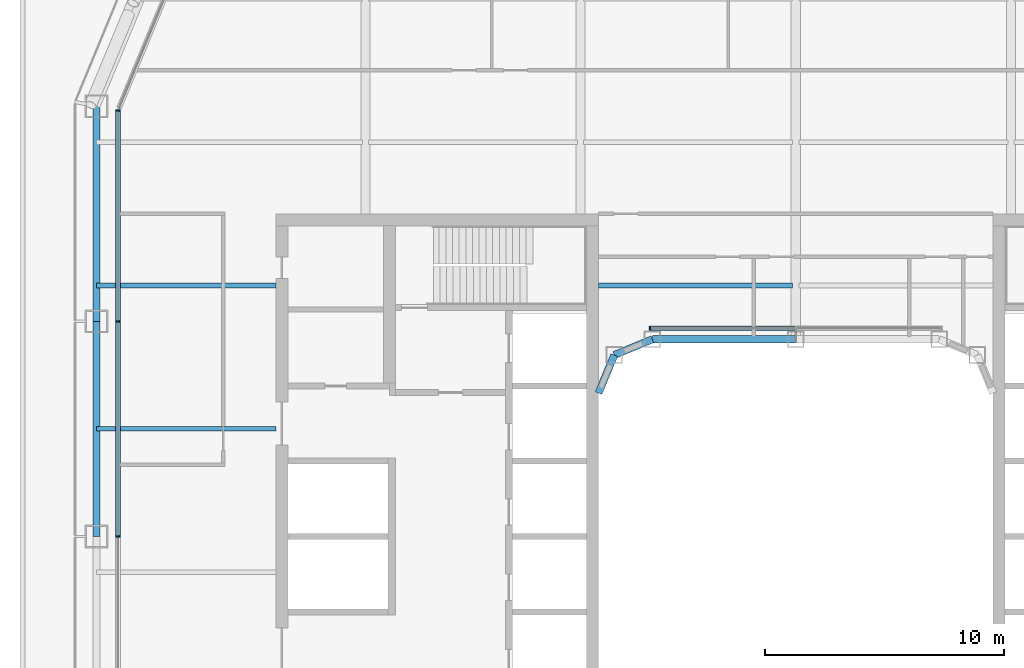
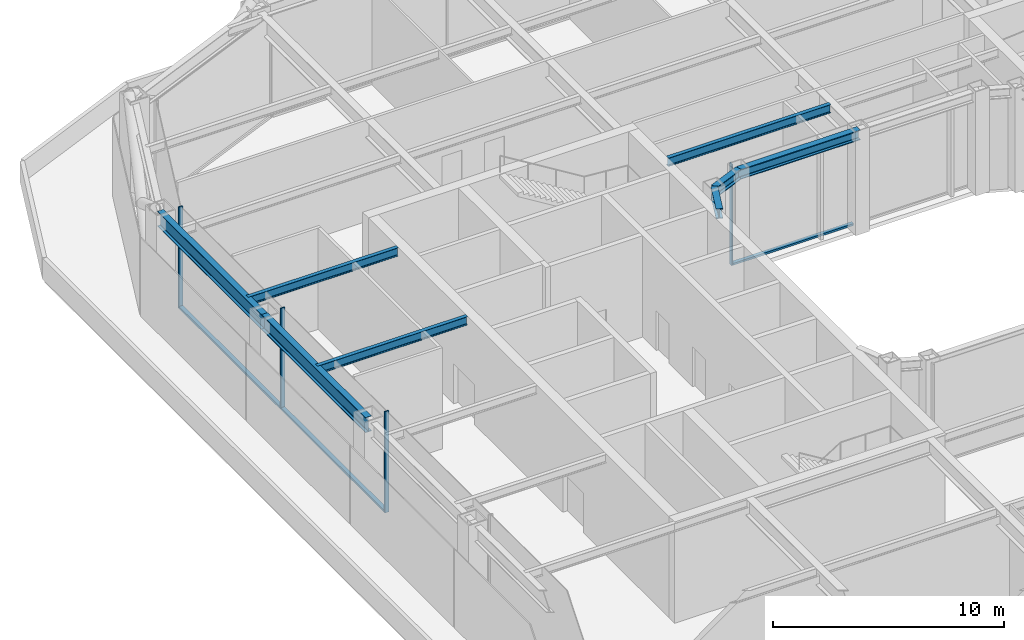
# One storey, part 6 of 21: 8 beams, 7 members, 2 elements without a shape of their own.
"""IFC4 building model written with IfcOpenShell, lengths in metres."""

from ifc_helpers import new_model, si_unit, direction, frame, origin, origin_2d, place, context, subcontext, project, spatial, rectangle, i_section, extrude, material, layer, layer_set, material_profile, profile_set, type_object, element, aggregate, save


model = new_model("IFC4")

# Units and contexts
model_context = context("Model", 3, precision=1e-05, world=origin(), true_north=direction((0.0, 1.0)))
body_context = subcontext(model_context, "Body", "Model", "MODEL_VIEW")
ifc_project = project(units=[si_unit("LENGTHUNIT", "METRE"), si_unit("AREAUNIT", "SQUARE_METRE"), si_unit("VOLUMEUNIT", "CUBIC_METRE"), si_unit("PLANEANGLEUNIT", "RADIAN"), si_unit("MASSUNIT", "GRAM", prefix="KILO")], contexts=[model_context])

# Site, building, storey
site_placement = place(None, origin())
site = spatial("IfcSite", under=ifc_project, at=site_placement, CompositionType="ELEMENT")
building_placement = place(site_placement, origin())
building = spatial("IfcBuilding", under=site, at=building_placement, Name="Siwar Civic Tower", CompositionType="ELEMENT")
storey_placement = place(building_placement, frame((0.0, 0.0, 99.199951171875)))
storey = spatial("IfcBuildingStorey", under=building, at=storey_placement, Name="L21", CompositionType="ELEMENT", Elevation=99.199951171875)

# Curtain wall, members
ifc_material_1 = material(Name="Aluminium and glass", Category="aluminium")
ifc_layer_1 = layer(ifc_material_1, 0.199951171875)
ifc_layer_set_1 = layer_set([ifc_layer_1], Name="Aluminium and glass")
curtain_wall_type_1 = type_object("IfcCurtainWallType", Name="ENV-CW-B", PredefinedType="NOTDEFINED", material=ifc_layer_set_1)
curtain_wall_1_placement = place(storey_placement, origin())
curtain_wall_1 = element("IfcCurtainWall", 1, at=curtain_wall_1_placement, inside=storey, type_object=curtain_wall_type_1, Name="Curtain wall B W", PredefinedType="NOTDEFINED")
ifc_material_2 = material(Name="Aluminium 6063-T6", Category="aluminium")
ifc_material_profile_1 = material_profile(ifc_material_2, rectangle(XDim=0.199951171875, YDim=0.06494140625, at=origin_2d()), Name="AL 200x65")
ifc_profile_set_1 = profile_set([ifc_material_profile_1], Name="Aluminium 6063-T6")
member_type_1 = type_object("IfcMemberType", Name="ENV-MULLION-B", PredefinedType="MULLION", material=ifc_profile_set_1)
member_1_placement = place(storey_placement, frame((-28.35009765625, 17.821044921875, 0.0), z_axis=(0.0, 0.0, 1.0), x_axis=(1.0, 0.0, 0.0)))
member_1 = element("IfcMember", 2, at=member_1_placement, type_object=member_type_1, Name="Mullion B W 1", PredefinedType="MULLION", context=body_context, shape_type="SweptSolid", body=[
    extrude(rectangle(XDim=0.199951171875, YDim=0.06494140625, at=origin_2d()), origin(), (0.0, 0.0, 1.0), 5.35009765625),
])
member_2_placement = place(storey_placement, frame((-28.35009765625, 9.0, 0.0), z_axis=(0.0, 0.0, 1.0), x_axis=(1.0, 0.0, 0.0)))
member_2 = element("IfcMember", 3, at=member_2_placement, type_object=member_type_1, Name="Mullion B W 2", PredefinedType="MULLION", context=body_context, shape_type="SweptSolid", body=[
    extrude(rectangle(XDim=0.199951171875, YDim=0.06494140625, at=origin_2d()), origin(), (0.0, 0.0, 1.0), 5.35009765625),
])
member_3_placement = place(storey_placement, frame((-28.35009765625, 0.0, 0.0), z_axis=(0.0, 0.0, 1.0), x_axis=(1.0, 0.0, 0.0)))
member_3 = element("IfcMember", 4, at=member_3_placement, type_object=member_type_1, Name="Mullion B W 3", PredefinedType="MULLION", context=body_context, shape_type="SweptSolid", body=[
    extrude(rectangle(XDim=0.199951171875, YDim=0.06494140625, at=origin_2d()), origin(), (0.0, 0.0, 1.0), 5.35009765625),
])

# Curtain wall, member
ifc_material_3 = material(Name="Aluminium and glass", Category="aluminium")
ifc_layer_2 = layer(ifc_material_3, 0.179931640625)
ifc_layer_set_2 = layer_set([ifc_layer_2], Name="Aluminium and glass")
curtain_wall_type_2 = type_object("IfcCurtainWallType", Name="ENV-CW-W", PredefinedType="NOTDEFINED", material=ifc_layer_set_2)
curtain_wall_2_placement = place(storey_placement, origin())
curtain_wall_2 = element("IfcCurtainWall", 5, at=curtain_wall_2_placement, inside=storey, type_object=curtain_wall_type_2, Name="Curtain wall W WN", PredefinedType="NOTDEFINED")
ifc_material_4 = material(Name="Aluminium 6063-T6", Category="aluminium")
ifc_material_profile_2 = material_profile(ifc_material_4, rectangle(XDim=0.179931640625, YDim=0.06005859375, at=origin_2d()), Name="AL 180x60")
ifc_profile_set_2 = profile_set([ifc_material_profile_2], Name="Aluminium 6063-T6")
member_type_2 = type_object("IfcMemberType", Name="ENV-MULLION-W", PredefinedType="MULLION", material=ifc_profile_set_2)
member_4_placement = place(storey_placement, frame((-6.091552734375, 8.7099609375, 0.0), z_axis=(0.0, 0.0, 1.0), x_axis=(0.0, -1.0, 0.0)))
member_4 = element("IfcMember", 6, at=member_4_placement, type_object=member_type_2, Name="Mullion W WN 3", PredefinedType="MULLION", context=body_context, shape_type="SweptSolid", body=[
    extrude(rectangle(XDim=0.179931640625, YDim=0.06005859375, at=origin_2d()), origin(), (0.0, 0.0, 1.0), 5.35009765625),
])

# Member
ifc_material_5 = material(Name="Aluminium 6063-T6", Category="aluminium")
ifc_material_profile_3 = material_profile(ifc_material_5, rectangle(XDim=0.199951171875, YDim=0.110107421875, at=origin_2d()), Name="AL 200x110")
ifc_profile_set_3 = profile_set([ifc_material_profile_3], Name="Aluminium 6063-T6")
member_type_3 = type_object("IfcMemberType", Name="ENV-TRANSOM-B", PredefinedType="USERDEFINED", material=ifc_profile_set_3)
member_5_placement = place(storey_placement, frame((-28.35009765625, 17.78857421875, 0.054931640625), z_axis=(0.0, -1.0, 0.0), x_axis=(1.0, 0.0, 0.0)))
member_5 = element("IfcMember", 7, at=member_5_placement, type_object=member_type_3, Name="Transom B W 1", ObjectType="TRANSOM", PredefinedType="USERDEFINED", context=body_context, shape_type="SweptSolid", body=[
    extrude(rectangle(XDim=0.199951171875, YDim=0.110107421875, at=origin_2d()), origin(), (0.0, 0.0, 1.0), 8.756103515625),
])

member_6_placement = place(storey_placement, frame((-28.35009765625, 8.967529296875, 0.054931640625), z_axis=(0.0, -1.0, 0.0), x_axis=(1.0, 0.0, 0.0)))
member_6 = element("IfcMember", 8, at=member_6_placement, type_object=member_type_3, Name="Transom B W 2", ObjectType="TRANSOM", PredefinedType="USERDEFINED", context=body_context, shape_type="SweptSolid", body=[
    extrude(rectangle(XDim=0.199951171875, YDim=0.110107421875, at=origin_2d()), origin(), (0.0, 0.0, 1.0), 8.93505859375),
])

aggregate(curtain_wall_1, [member_1, member_2, member_3, member_5, member_6])

ifc_material_6 = material(Name="Aluminium 6063-T6", Category="aluminium")
ifc_material_profile_4 = material_profile(ifc_material_6, rectangle(XDim=0.179931640625, YDim=0.10009765625, at=origin_2d()), Name="AL 180x100")
ifc_profile_set_4 = profile_set([ifc_material_profile_4], Name="Aluminium 6063-T6")
member_type_4 = type_object("IfcMemberType", Name="ENV-TRANSOM-W", PredefinedType="USERDEFINED", material=ifc_profile_set_4)
member_7_placement = place(storey_placement, frame((-0.030029296875, 8.7099609375, 0.050048828125), z_axis=(-1.0, 0.0, 0.0), x_axis=(0.0, -1.0, 0.0)))
member_7 = element("IfcMember", 9, at=member_7_placement, type_object=member_type_4, Name="Transom W WN 2", ObjectType="TRANSOM", PredefinedType="USERDEFINED", context=body_context, shape_type="SweptSolid", body=[
    extrude(rectangle(XDim=0.179931640625, YDim=0.10009765625, at=origin_2d()), origin(), (0.0, 0.0, 1.0), 6.031494140625),
])

aggregate(curtain_wall_2, [member_4, member_7])

# Beams
ifc_material_7 = material(Name="Steel S355", Category="steel")
ifc_material_profile_5 = material_profile(ifc_material_7, i_section(OverallWidth=0.18994140625, OverallDepth=0.449951171875, WebThickness=0.009521484375, FlangeThickness=0.0146484375, FilletRadius=0.02099609375, at=origin_2d()), Name="IPE450")
ifc_profile_set_5 = profile_set([ifc_material_profile_5], Name="Steel S355")
beam_type_1 = type_object("IfcBeamType", Name="STR-FB-IPE450", PredefinedType="JOIST", material=ifc_profile_set_5)
for number, where, z_axis, x_axis, name in (
    (10, (-29.25, 4.5, 5.125), (1.0, 0.0, 0.0), (0.0, 1.0, 0.0), "L21/bm/F025"),
    (11, (-29.25, 10.5, 5.125), (1.0, 0.0, 0.0), (0.0, 1.0, 0.0), "L21/bm/F027"),
):
    element("IfcBeam", number, at=place(storey_placement, frame(where, z_axis=z_axis, x_axis=x_axis)), inside=storey, type_object=beam_type_1, Name=name, PredefinedType="JOIST", context=body_context, shape_type="SweptSolid", body=[
        extrude(i_section(OverallWidth=0.18994140625, OverallDepth=0.449951171875, WebThickness=0.009521484375, FlangeThickness=0.0146484375, FilletRadius=0.02099609375, at=origin_2d()), origin(), (0.0, 0.0, 1.0), 7.5),
    ])
beam_1_placement = place(storey_placement, frame((-8.25, 10.5, 5.125), z_axis=(1.0, 0.0, 0.0), x_axis=(0.0, 1.0, 0.0)))
element("IfcBeam", 12, at=beam_1_placement, inside=storey, type_object=beam_type_1, Name="L21/bm/F028", PredefinedType="JOIST", context=body_context, shape_type="SweptSolid", body=[
    extrude(i_section(OverallWidth=0.18994140625, OverallDepth=0.449951171875, WebThickness=0.009521484375, FlangeThickness=0.0146484375, FilletRadius=0.02099609375, at=origin_2d()), origin(), (0.0, 0.0, 1.0), 8.1201171875),
])
ifc_material_8 = material(Name="Steel S355", Category="steel")
ifc_material_profile_6 = material_profile(ifc_material_8, i_section(OverallWidth=0.305908203125, OverallDepth=0.52392578125, WebThickness=0.02099609375, FlangeThickness=0.0400390625, FilletRadius=0.027099609375, at=origin_2d()), Name="HEM500")
ifc_profile_set_6 = profile_set([ifc_material_profile_6], Name="Steel S355")
beam_type_2 = type_object("IfcBeamType", Name="STR-RB-HEM500", PredefinedType="BEAM", material=ifc_profile_set_6)
beam_2_placement = place(storey_placement, frame((-7.591064453125, 7.591064453125, 5.088134765625), z_axis=(0.923901072997, 0.382631424892, 0.0), x_axis=(-0.382631424892, 0.923901072997, 0.0)))
element("IfcBeam", 13, at=beam_2_placement, inside=storey, type_object=beam_type_2, Name="L21/bm/RN0", PredefinedType="BEAM", context=body_context, shape_type="SweptSolid", body=[
    extrude(i_section(OverallWidth=0.305908203125, OverallDepth=0.52392578125, WebThickness=0.02099609375, FlangeThickness=0.0400390625, FilletRadius=0.027099609375, at=origin_2d()), origin(), (0.0, 0.0, 1.0), 1.72216796875),
])
beam_3_placement = place(storey_placement, frame((-6.0, 8.25, 5.088134765625), z_axis=(1.0, 0.0, 0.0), x_axis=(0.0, 1.0, 0.0)))
element("IfcBeam", 14, at=beam_3_placement, inside=storey, type_object=beam_type_2, Name="L21/bm/RN1", PredefinedType="BEAM", context=body_context, shape_type="SweptSolid", body=[
    extrude(i_section(OverallWidth=0.305908203125, OverallDepth=0.52392578125, WebThickness=0.02099609375, FlangeThickness=0.0400390625, FilletRadius=0.027099609375, at=origin_2d()), origin(), (0.0, 0.0, 1.0), 6.0),
])
beam_4_placement = place(storey_placement, frame((-7.591064453125, 7.591064453125, 5.088134765625), z_axis=(-0.382631424892, -0.923901072997, 0.0), x_axis=(0.923901072997, -0.382631424892, 0.0)))
element("IfcBeam", 15, at=beam_4_placement, inside=storey, type_object=beam_type_2, Name="L21/bm/RNEW", PredefinedType="BEAM", context=body_context, shape_type="SweptSolid", body=[
    extrude(i_section(OverallWidth=0.305908203125, OverallDepth=0.52392578125, WebThickness=0.02099609375, FlangeThickness=0.0400390625, FilletRadius=0.027099609375, at=origin_2d()), origin(), (0.0, 0.0, 1.0), 1.72216796875),
])
ifc_material_9 = material(Name="Steel S355", Category="steel")
ifc_material_profile_7 = material_profile(ifc_material_9, i_section(OverallWidth=0.300048828125, OverallDepth=0.800048828125, WebThickness=0.017578125, FlangeThickness=0.032958984375, FilletRadius=0.030029296875, at=origin_2d()), Name="HEB800")
ifc_profile_set_7 = profile_set([ifc_material_profile_7], Name="Steel S355")
beam_type_3 = type_object("IfcBeamType", Name="STR-SB-HEB800", PredefinedType="BEAM", material=ifc_profile_set_7)
for number, where, z_axis, x_axis, name in (
    (16, (-29.25, 18.0, 4.949951171875), (0.0, -1.0, 0.0), (1.0, 0.0, 0.0), "L21/bm/SW-0"),
    (17, (-29.25, 9.0, 4.949951171875), (0.0, -1.0, 0.0), (1.0, 0.0, 0.0), "L21/bm/SW-1"),
):
    element("IfcBeam", number, at=place(storey_placement, frame(where, z_axis=z_axis, x_axis=x_axis)), inside=storey, type_object=beam_type_3, Name=name, PredefinedType="BEAM", context=body_context, shape_type="SweptSolid", body=[
        extrude(i_section(OverallWidth=0.300048828125, OverallDepth=0.800048828125, WebThickness=0.017578125, FlangeThickness=0.032958984375, FilletRadius=0.030029296875, at=origin_2d()), origin(), (0.0, 0.0, 1.0), 9.0),
    ])

save(model, "model.ifc")
